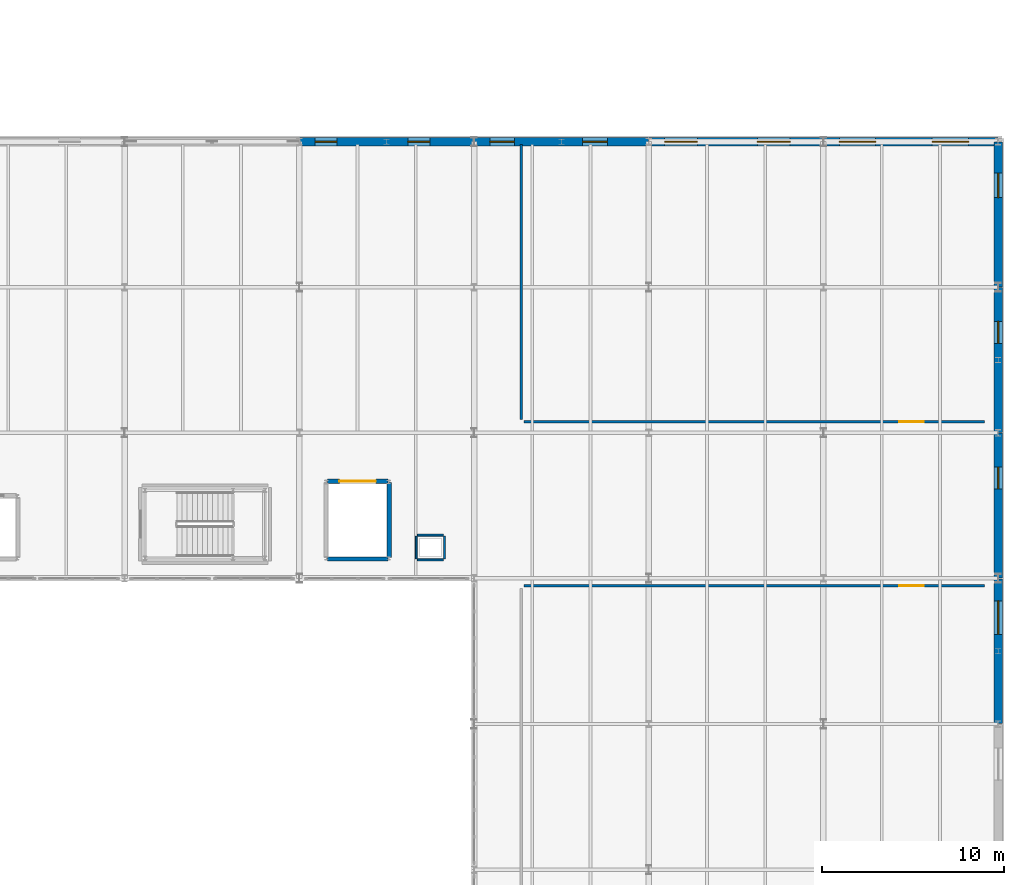
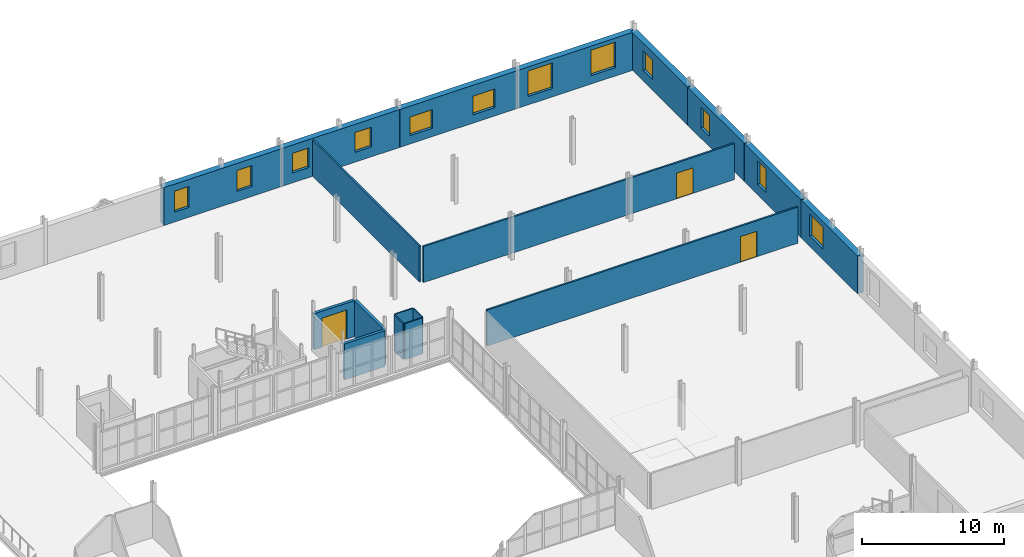
# One storey, part 65 of 78: 18 walls, 12 windows, 3 doors, 15 openings.
"""IFC4 building model written with IfcOpenShell, lengths in metres."""

from ifc_helpers import new_model, si_unit, direction, frame, frame_2d, origin, place, context, subcontext, project, spatial, rectangle, extrude, material, layer, layer_set, type_object, element, fill, save


model = new_model("IFC4")

# Units and contexts
model_context = context("Model", 3, precision=1e-05, world=origin(), true_north=direction((0.0, 1.0)))
body_context = subcontext(model_context, "Body", "Model", "MODEL_VIEW")
ifc_project = project(units=[si_unit("LENGTHUNIT", "METRE"), si_unit("AREAUNIT", "SQUARE_METRE"), si_unit("VOLUMEUNIT", "CUBIC_METRE"), si_unit("PLANEANGLEUNIT", "RADIAN"), si_unit("MASSUNIT", "GRAM", prefix="KILO")], contexts=[model_context])

# Site, building, storey
site_placement = place(None, origin())
site = spatial("IfcSite", under=ifc_project, at=site_placement, CompositionType="ELEMENT")
building_placement = place(site_placement, origin())
building = spatial("IfcBuilding", under=site, at=building_placement, Name="Alderhovde Museum", CompositionType="ELEMENT")
storey_placement = place(building_placement, frame((0.0, 0.0, 4.5)))
storey = spatial("IfcBuildingStorey", under=building, at=storey_placement, Name="L01", CompositionType="ELEMENT", Elevation=4.5)

# Wall, openings, windows
ifc_material_1 = material(Name="Nordic Granite Ashlar on Concrete C35/45", Category="masonry")
ifc_layer_1 = layer(ifc_material_1, 0.47998046875)
ifc_layer_set_1 = layer_set([ifc_layer_1], Name="Nordic Granite Ashlar on Concrete C35/45")
wall_type_1 = type_object("IfcWallType", Name="EW-GRAN-480", PredefinedType="SOLIDWALL", material=ifc_layer_set_1)
wall_1_placement = place(storey_placement, frame((134.419921875, 96.0, 0.0), z_axis=(0.0, 0.0, 1.0), x_axis=(1.0, 0.0, 0.0)))
wall_1 = element("IfcWall", 1, at=wall_1_placement, inside=storey, type_object=wall_type_1, Name="L01 Conservation North Beaux-Arts Wall 202", PredefinedType="SOLIDWALL", context=body_context, shape_type="SweptSolid", body=[
    extrude(rectangle(XDim=9.56005859375, YDim=0.47998046875, at=frame_2d((4.780029296875, 0.0))), origin(), (0.0, 0.0, 1.0), 3.260009765625),
])
opening_1_placement = place(wall_1_placement, frame((0.85009765625, 0.0, 0.85009765625)))
opening_1 = element("IfcOpeningElement", 2, at=opening_1_placement, cuts=wall_1, Name="Opening W14", PredefinedType="OPENING", context=body_context, shape_type="SweptSolid", body=[
    extrude(rectangle(XDim=1.199951171875, YDim=1.800048828125, at=frame_2d((0.60009765625, 0.89990234375))), frame((0.0, 0.25, 0.0), z_axis=(0.0, -1.0, 0.0), x_axis=(1.0, 0.0, 0.0)), (0.0, 0.0, 1.0), 0.5),
])
opening_2_placement = place(wall_1_placement, frame((5.949951171875, 0.0, 0.85009765625)))
opening_2 = element("IfcOpeningElement", 3, at=opening_2_placement, cuts=wall_1, Name="Opening W14", PredefinedType="OPENING", context=body_context, shape_type="SweptSolid", body=[
    extrude(rectangle(XDim=1.199951171875, YDim=1.800048828125, at=frame_2d((0.60009765625, 0.89990234375))), frame((0.0, 0.25, 0.0), z_axis=(0.0, -1.0, 0.0), x_axis=(1.0, 0.0, 0.0)), (0.0, 0.0, 1.0), 0.5),
])
ifc_material_2 = material(Name="Triple-Glazed Low-E Bronze-Anodised Aluminium", Category="aluminium")
window_type_1 = type_object("IfcWindowType", Name="WIN-ATT-1200x1800", PartitioningType="SINGLE_PANEL", PredefinedType="WINDOW", material=ifc_material_2)
window_1_placement = place(opening_1_placement, origin())
window_1 = element("IfcWindow", 4, at=window_1_placement, inside=storey, type_object=window_type_1, Name="L01 Facade Window 179", OverallHeight=1.800048828125, OverallWidth=1.199951171875, PartitioningType="SINGLE_PANEL", PredefinedType="WINDOW", context=body_context, shape_type="SweptSolid", body=[
    extrude(rectangle(XDim=1.199951171875, YDim=1.800048828125, at=frame_2d((0.60009765625, 0.89990234375))), frame((0.0, 0.030029296875, 0.0), z_axis=(0.0, -1.0, 0.0), x_axis=(1.0, 0.0, 0.0)), (0.0, 0.0, 1.0), 0.06005859375),
])
fill(opening_1, window_1)
window_2_placement = place(opening_2_placement, origin())
window_2 = element("IfcWindow", 5, at=window_2_placement, inside=storey, type_object=window_type_1, Name="L01 Facade Window 180", OverallHeight=1.800048828125, OverallWidth=1.199951171875, PartitioningType="SINGLE_PANEL", PredefinedType="WINDOW", context=body_context, shape_type="SweptSolid", body=[
    extrude(rectangle(XDim=1.199951171875, YDim=1.800048828125, at=frame_2d((0.60009765625, 0.89990234375))), frame((0.0, 0.030029296875, 0.0), z_axis=(0.0, -1.0, 0.0), x_axis=(1.0, 0.0, 0.0)), (0.0, 0.0, 1.0), 0.06005859375),
])
fill(opening_2, window_2)

wall_2_placement = place(storey_placement, frame((144.02001953125, 96.0, 0.0), z_axis=(0.0, 0.0, 1.0), x_axis=(1.0, 0.0, 0.0)))
wall_2 = element("IfcWall", 6, at=wall_2_placement, inside=storey, type_object=wall_type_1, Name="L01 Conservation North Beaux-Arts Wall 203", PredefinedType="SOLIDWALL", context=body_context, shape_type="SweptSolid", body=[
    extrude(rectangle(XDim=9.56005859375, YDim=0.47998046875, at=frame_2d((4.780029296875, 0.0))), origin(), (0.0, 0.0, 1.0), 3.260009765625),
])
opening_3_placement = place(wall_2_placement, frame((0.85009765625, 0.0, 0.85009765625)))
opening_3 = element("IfcOpeningElement", 7, at=opening_3_placement, cuts=wall_2, Name="Opening W28", PredefinedType="OPENING", context=body_context, shape_type="SweptSolid", body=[
    extrude(rectangle(XDim=1.35009765625, YDim=1.699951171875, at=frame_2d((0.675048828125, 0.85009765625))), frame((0.0, 0.25, 0.0), z_axis=(0.0, -1.0, 0.0), x_axis=(1.0, 0.0, 0.0)), (0.0, 0.0, 1.0), 0.5),
])
opening_4_placement = place(wall_2_placement, frame((5.949951171875, 0.0, 0.85009765625)))
opening_4 = element("IfcOpeningElement", 8, at=opening_4_placement, cuts=wall_2, Name="Opening W28", PredefinedType="OPENING", context=body_context, shape_type="SweptSolid", body=[
    extrude(rectangle(XDim=1.35009765625, YDim=1.699951171875, at=frame_2d((0.675048828125, 0.85009765625))), frame((0.0, 0.25, 0.0), z_axis=(0.0, -1.0, 0.0), x_axis=(1.0, 0.0, 0.0)), (0.0, 0.0, 1.0), 0.5),
])
ifc_material_3 = material(Name="Triple-Glazed Low-E Bronze-Anodised Aluminium", Category="aluminium")
window_type_2 = type_object("IfcWindowType", Name="WIN-LAB-1350x1700", PartitioningType="SINGLE_PANEL", PredefinedType="WINDOW", material=ifc_material_3)
window_3_placement = place(opening_3_placement, origin())
window_3 = element("IfcWindow", 9, at=window_3_placement, inside=storey, type_object=window_type_2, Name="L01 Facade Window 181", OverallHeight=1.699951171875, OverallWidth=1.35009765625, PartitioningType="SINGLE_PANEL", PredefinedType="WINDOW", context=body_context, shape_type="SweptSolid", body=[
    extrude(rectangle(XDim=1.35009765625, YDim=1.699951171875, at=frame_2d((0.675048828125, 0.85009765625))), frame((0.0, 0.030029296875, 0.0), z_axis=(0.0, -1.0, 0.0), x_axis=(1.0, 0.0, 0.0)), (0.0, 0.0, 1.0), 0.06005859375),
])
fill(opening_3, window_3)
window_4_placement = place(opening_4_placement, origin())
window_4 = element("IfcWindow", 10, at=window_4_placement, inside=storey, type_object=window_type_2, Name="L01 Facade Window 182", OverallHeight=1.699951171875, OverallWidth=1.35009765625, PartitioningType="SINGLE_PANEL", PredefinedType="WINDOW", context=body_context, shape_type="SweptSolid", body=[
    extrude(rectangle(XDim=1.35009765625, YDim=1.699951171875, at=frame_2d((0.675048828125, 0.85009765625))), frame((0.0, 0.030029296875, 0.0), z_axis=(0.0, -1.0, 0.0), x_axis=(1.0, 0.0, 0.0)), (0.0, 0.0, 1.0), 0.06005859375),
])
fill(opening_4, window_4)

wall_3_placement = place(storey_placement, frame((153.6201171875, 96.0, 0.0), z_axis=(0.0, 0.0, 1.0), x_axis=(1.0, 0.0, 0.0)))
wall_3 = element("IfcWall", 11, at=wall_3_placement, inside=storey, type_object=wall_type_1, Name="L01 Conservation North Beaux-Arts Wall 204", PredefinedType="SOLIDWALL", context=body_context, shape_type="SweptSolid", body=[
    extrude(rectangle(XDim=9.559814453125, YDim=0.47998046875, at=frame_2d((4.77978515625, 0.0))), origin(), (0.0, 0.0, 1.0), 3.260009765625),
])
opening_5_placement = place(wall_3_placement, frame((0.85009765625, 0.0, 0.719970703125)))
opening_5 = element("IfcOpeningElement", 12, at=opening_5_placement, cuts=wall_3, Name="Opening W13", PredefinedType="OPENING", context=body_context, shape_type="SweptSolid", body=[
    extrude(rectangle(XDim=1.800048828125, YDim=1.60009765625, at=frame_2d((0.89990234375, 0.800048828125))), frame((0.0, 0.25, 0.0), z_axis=(0.0, -1.0, 0.0), x_axis=(1.0, 0.0, 0.0)), (0.0, 0.0, 1.0), 0.5),
])
opening_6_placement = place(wall_3_placement, frame((5.949951171875, 0.0, 0.719970703125)))
opening_6 = element("IfcOpeningElement", 13, at=opening_6_placement, cuts=wall_3, Name="Opening W13", PredefinedType="OPENING", context=body_context, shape_type="SweptSolid", body=[
    extrude(rectangle(XDim=1.800048828125, YDim=1.60009765625, at=frame_2d((0.89990234375, 0.800048828125))), frame((0.0, 0.25, 0.0), z_axis=(0.0, -1.0, 0.0), x_axis=(1.0, 0.0, 0.0)), (0.0, 0.0, 1.0), 0.5),
])
ifc_material_4 = material(Name="Triple-Glazed Low-E Bronze-Anodised Aluminium", Category="aluminium")
window_type_3 = type_object("IfcWindowType", Name="WIN-ATT-1800x1600", PartitioningType="DOUBLE_PANEL_VERTICAL", PredefinedType="WINDOW", material=ifc_material_4)
window_5_placement = place(opening_5_placement, origin())
window_5 = element("IfcWindow", 14, at=window_5_placement, inside=storey, type_object=window_type_3, Name="L01 Facade Window 183", OverallHeight=1.60009765625, OverallWidth=1.800048828125, PartitioningType="SINGLE_PANEL", PredefinedType="WINDOW", context=body_context, shape_type="SweptSolid", body=[
    extrude(rectangle(XDim=1.800048828125, YDim=1.60009765625, at=frame_2d((0.89990234375, 0.800048828125))), frame((0.0, 0.030029296875, 0.0), z_axis=(0.0, -1.0, 0.0), x_axis=(1.0, 0.0, 0.0)), (0.0, 0.0, 1.0), 0.06005859375),
])
fill(opening_5, window_5)
window_6_placement = place(opening_6_placement, origin())
window_6 = element("IfcWindow", 15, at=window_6_placement, inside=storey, type_object=window_type_3, Name="L01 Facade Window 184", OverallHeight=1.60009765625, OverallWidth=1.800048828125, PartitioningType="SINGLE_PANEL", PredefinedType="WINDOW", context=body_context, shape_type="SweptSolid", body=[
    extrude(rectangle(XDim=1.800048828125, YDim=1.60009765625, at=frame_2d((0.89990234375, 0.800048828125))), frame((0.0, 0.030029296875, 0.0), z_axis=(0.0, -1.0, 0.0), x_axis=(1.0, 0.0, 0.0)), (0.0, 0.0, 1.0), 0.06005859375),
])
fill(opening_6, window_6)

wall_4_placement = place(storey_placement, frame((163.219970703125, 96.0, 0.0), z_axis=(0.0, 0.0, 1.0), x_axis=(1.0, 0.0, 0.0)))
wall_4 = element("IfcWall", 16, at=wall_4_placement, inside=storey, type_object=wall_type_1, Name="L01 Conservation North Beaux-Arts Wall 205", PredefinedType="SOLIDWALL", context=body_context, shape_type="SweptSolid", body=[
    extrude(rectangle(XDim=9.56005859375, YDim=0.47998046875, at=frame_2d((4.780029296875, 0.0))), origin(), (0.0, 0.0, 1.0), 3.260009765625),
])
opening_7_placement = place(wall_4_placement, frame((0.85009765625, 0.0, 0.719970703125)))
opening_7 = element("IfcOpeningElement", 17, at=opening_7_placement, cuts=wall_4, Name="Opening W16", PredefinedType="OPENING", context=body_context, shape_type="SweptSolid", body=[
    extrude(rectangle(XDim=2.0, YDim=2.199951171875, at=frame_2d((1.0, 1.10009765625))), frame((0.0, 0.25, 0.0), z_axis=(0.0, -1.0, 0.0), x_axis=(1.0, 0.0, 0.0)), (0.0, 0.0, 1.0), 0.5),
])
opening_8_placement = place(wall_4_placement, frame((5.949951171875, 0.0, 0.719970703125)))
opening_8 = element("IfcOpeningElement", 18, at=opening_8_placement, cuts=wall_4, Name="Opening W16", PredefinedType="OPENING", context=body_context, shape_type="SweptSolid", body=[
    extrude(rectangle(XDim=2.0, YDim=2.199951171875, at=frame_2d((1.0, 1.10009765625))), frame((0.0, 0.25, 0.0), z_axis=(0.0, -1.0, 0.0), x_axis=(1.0, 0.0, 0.0)), (0.0, 0.0, 1.0), 0.5),
])
ifc_material_5 = material(Name="Triple-Glazed Low-E Bronze-Anodised Aluminium", Category="aluminium")
window_type_4 = type_object("IfcWindowType", Name="WIN-LAB-2000x2200", PartitioningType="DOUBLE_PANEL_VERTICAL", PredefinedType="WINDOW", material=ifc_material_5)
window_7_placement = place(opening_7_placement, origin())
window_7 = element("IfcWindow", 19, at=window_7_placement, inside=storey, type_object=window_type_4, Name="L01 Facade Window 185", OverallHeight=2.199951171875, OverallWidth=2.0, PartitioningType="SINGLE_PANEL", PredefinedType="WINDOW", context=body_context, shape_type="SweptSolid", body=[
    extrude(rectangle(XDim=2.0, YDim=2.199951171875, at=frame_2d((1.0, 1.10009765625))), frame((0.0, 0.030029296875, 0.0), z_axis=(0.0, -1.0, 0.0), x_axis=(1.0, 0.0, 0.0)), (0.0, 0.0, 1.0), 0.06005859375),
])
fill(opening_7, window_7)
window_8_placement = place(opening_8_placement, origin())
window_8 = element("IfcWindow", 20, at=window_8_placement, inside=storey, type_object=window_type_4, Name="L01 Facade Window 186", OverallHeight=2.199951171875, OverallWidth=2.0, PartitioningType="SINGLE_PANEL", PredefinedType="WINDOW", context=body_context, shape_type="SweptSolid", body=[
    extrude(rectangle(XDim=2.0, YDim=2.199951171875, at=frame_2d((1.0, 1.10009765625))), frame((0.0, 0.030029296875, 0.0), z_axis=(0.0, -1.0, 0.0), x_axis=(1.0, 0.0, 0.0)), (0.0, 0.0, 1.0), 0.06005859375),
])
fill(opening_8, window_8)

# Wall, opening, window
wall_5_placement = place(storey_placement, frame((172.800048828125, 64.02001953125, 0.0), z_axis=(0.0, 0.0, 1.0), x_axis=(0.0, 1.0, 0.0)))
wall_5 = element("IfcWall", 21, at=wall_5_placement, inside=storey, type_object=wall_type_1, Name="L01 Conservation East Hillside Wall 210", PredefinedType="SOLIDWALL", context=body_context, shape_type="SweptSolid", body=[
    extrude(rectangle(XDim=7.9599609375, YDim=0.47998046875, at=frame_2d((3.97998046875, 0.0))), origin(), (0.0, 0.0, 1.0), 3.260009765625),
])
opening_9_placement = place(wall_5_placement, frame((4.89990234375, 0.0, 0.89990234375)))
opening_9 = element("IfcOpeningElement", 22, at=opening_9_placement, cuts=wall_5, Name="Opening W27", PredefinedType="OPENING", context=body_context, shape_type="SweptSolid", body=[
    extrude(rectangle(XDim=1.85009765625, YDim=1.89990234375, at=frame_2d((0.925048828125, 0.949951171875))), frame((0.0, 0.25, 0.0), z_axis=(0.0, -1.0, 0.0), x_axis=(1.0, 0.0, 0.0)), (0.0, 0.0, 1.0), 0.5),
])
ifc_material_6 = material(Name="Triple-Glazed Low-E Bronze-Anodised Aluminium", Category="aluminium")
window_type_5 = type_object("IfcWindowType", Name="WIN-LAB-1850x1900", PartitioningType="DOUBLE_PANEL_VERTICAL", PredefinedType="WINDOW", material=ifc_material_6)
window_9_placement = place(opening_9_placement, origin())
window_9 = element("IfcWindow", 23, at=window_9_placement, inside=storey, type_object=window_type_5, Name="L01 Facade Window 191", OverallHeight=1.89990234375, OverallWidth=1.85009765625, PartitioningType="SINGLE_PANEL", PredefinedType="WINDOW", context=body_context, shape_type="SweptSolid", body=[
    extrude(rectangle(XDim=1.85009765625, YDim=1.89990234375, at=frame_2d((0.925048828125, 0.949951171875))), frame((0.0, 0.030029296875, 0.0), z_axis=(0.0, -1.0, 0.0), x_axis=(1.0, 0.0, 0.0)), (0.0, 0.0, 1.0), 0.06005859375),
])
fill(opening_9, window_9)

wall_6_placement = place(storey_placement, frame((172.800048828125, 72.02001953125, 0.0), z_axis=(0.0, 0.0, 1.0), x_axis=(0.0, 1.0, 0.0)))
wall_6 = element("IfcWall", 24, at=wall_6_placement, inside=storey, type_object=wall_type_1, Name="L01 Conservation East Hillside Wall 211", PredefinedType="SOLIDWALL", context=body_context, shape_type="SweptSolid", body=[
    extrude(rectangle(XDim=7.9599609375, YDim=0.47998046875, at=frame_2d((3.97998046875, 0.0))), origin(), (0.0, 0.0, 1.0), 3.260009765625),
])
opening_10_placement = place(wall_6_placement, frame((4.89990234375, 0.0, 0.89990234375)))
opening_10 = element("IfcOpeningElement", 25, at=opening_10_placement, cuts=wall_6, Name="Opening W18", PredefinedType="OPENING", context=body_context, shape_type="SweptSolid", body=[
    extrude(rectangle(XDim=1.199951171875, YDim=2.0, at=frame_2d((0.60009765625, 1.0))), frame((0.0, 0.25, 0.0), z_axis=(0.0, -1.0, 0.0), x_axis=(1.0, 0.0, 0.0)), (0.0, 0.0, 1.0), 0.5),
])
ifc_material_7 = material(Name="Triple-Glazed Low-E Bronze-Anodised Aluminium", Category="aluminium")
window_type_6 = type_object("IfcWindowType", Name="WIN-LAB-1200x2000", PartitioningType="SINGLE_PANEL", PredefinedType="WINDOW", material=ifc_material_7)
window_10_placement = place(opening_10_placement, origin())
window_10 = element("IfcWindow", 26, at=window_10_placement, inside=storey, type_object=window_type_6, Name="L01 Facade Window 192", OverallHeight=2.0, OverallWidth=1.199951171875, PartitioningType="SINGLE_PANEL", PredefinedType="WINDOW", context=body_context, shape_type="SweptSolid", body=[
    extrude(rectangle(XDim=1.199951171875, YDim=2.0, at=frame_2d((0.60009765625, 1.0))), frame((0.0, 0.030029296875, 0.0), z_axis=(0.0, -1.0, 0.0), x_axis=(1.0, 0.0, 0.0)), (0.0, 0.0, 1.0), 0.06005859375),
])
fill(opening_10, window_10)

wall_7_placement = place(storey_placement, frame((172.800048828125, 80.02001953125, 0.0), z_axis=(0.0, 0.0, 1.0), x_axis=(0.0, 1.0, 0.0)))
wall_7 = element("IfcWall", 27, at=wall_7_placement, inside=storey, type_object=wall_type_1, Name="L01 Conservation East Hillside Wall 212", PredefinedType="SOLIDWALL", context=body_context, shape_type="SweptSolid", body=[
    extrude(rectangle(XDim=7.9599609375, YDim=0.47998046875, at=frame_2d((3.97998046875, 0.0))), origin(), (0.0, 0.0, 1.0), 3.260009765625),
])
opening_11_placement = place(wall_7_placement, frame((4.89990234375, 0.0, 0.89990234375)))
opening_11 = element("IfcOpeningElement", 28, at=opening_11_placement, cuts=wall_7, Name="Opening W14", PredefinedType="OPENING", context=body_context, shape_type="SweptSolid", body=[
    extrude(rectangle(XDim=1.199951171875, YDim=1.800048828125, at=frame_2d((0.60009765625, 0.89990234375))), frame((0.0, 0.25, 0.0), z_axis=(0.0, -1.0, 0.0), x_axis=(1.0, 0.0, 0.0)), (0.0, 0.0, 1.0), 0.5),
])
window_11_placement = place(opening_11_placement, origin())
window_11 = element("IfcWindow", 29, at=window_11_placement, inside=storey, type_object=window_type_1, Name="L01 Facade Window 193", OverallHeight=1.800048828125, OverallWidth=1.199951171875, PartitioningType="SINGLE_PANEL", PredefinedType="WINDOW", context=body_context, shape_type="SweptSolid", body=[
    extrude(rectangle(XDim=1.199951171875, YDim=1.800048828125, at=frame_2d((0.60009765625, 0.89990234375))), frame((0.0, 0.030029296875, 0.0), z_axis=(0.0, -1.0, 0.0), x_axis=(1.0, 0.0, 0.0)), (0.0, 0.0, 1.0), 0.06005859375),
])
fill(opening_11, window_11)

wall_8_placement = place(storey_placement, frame((172.800048828125, 88.02001953125, 0.0), z_axis=(0.0, 0.0, 1.0), x_axis=(0.0, 1.0, 0.0)))
wall_8 = element("IfcWall", 30, at=wall_8_placement, inside=storey, type_object=wall_type_1, Name="L01 Conservation East Hillside Wall 213", PredefinedType="SOLIDWALL", context=body_context, shape_type="SweptSolid", body=[
    extrude(rectangle(XDim=7.9599609375, YDim=0.47998046875, at=frame_2d((3.97998046875, 0.0))), origin(), (0.0, 0.0, 1.0), 3.260009765625),
])
opening_12_placement = place(wall_8_placement, frame((4.89990234375, 0.0, 0.89990234375)))
opening_12 = element("IfcOpeningElement", 31, at=opening_12_placement, cuts=wall_8, Name="Opening W28", PredefinedType="OPENING", context=body_context, shape_type="SweptSolid", body=[
    extrude(rectangle(XDim=1.35009765625, YDim=1.699951171875, at=frame_2d((0.675048828125, 0.85009765625))), frame((0.0, 0.25, 0.0), z_axis=(0.0, -1.0, 0.0), x_axis=(1.0, 0.0, 0.0)), (0.0, 0.0, 1.0), 0.5),
])
window_12_placement = place(opening_12_placement, origin())
window_12 = element("IfcWindow", 32, at=window_12_placement, inside=storey, type_object=window_type_2, Name="L01 Facade Window 194", OverallHeight=1.699951171875, OverallWidth=1.35009765625, PartitioningType="SINGLE_PANEL", PredefinedType="WINDOW", context=body_context, shape_type="SweptSolid", body=[
    extrude(rectangle(XDim=1.35009765625, YDim=1.699951171875, at=frame_2d((0.675048828125, 0.85009765625))), frame((0.0, 0.030029296875, 0.0), z_axis=(0.0, -1.0, 0.0), x_axis=(1.0, 0.0, 0.0)), (0.0, 0.0, 1.0), 0.06005859375),
])
fill(opening_12, window_12)

# Wall, opening, door
ifc_material_8 = material(Name="Hygienic Conservation Laboratory Partition")
ifc_layer_2 = layer(ifc_material_8, 0.139892578125)
ifc_layer_set_2 = layer_set([ifc_layer_2], Name="Hygienic Conservation Laboratory Partition")
wall_type_2 = type_object("IfcWallType", Name="IW-LAB-140", PredefinedType="PARTITIONING", material=ifc_layer_set_2)
wall_9_placement = place(storey_placement, frame((146.739990234375, 71.60009765625, 0.0), z_axis=(0.0, 0.0, 1.0), x_axis=(1.0, 0.0, 0.0)))
wall_9 = element("IfcWall", 33, at=wall_9_placement, inside=storey, type_object=wall_type_2, Name="L01 Wet Conservation Laboratory Partition Wall N", PredefinedType="PARTITIONING", context=body_context, shape_type="SweptSolid", body=[
    extrude(rectangle(XDim=25.320068359375, YDim=0.139892578125, at=frame_2d((12.66015625, 0.0))), origin(), (0.0, 0.0, 1.0), 3.10009765625),
])
opening_13_placement = place(wall_9_placement, frame((20.6201171875, 0.0, 0.0)))
opening_13 = element("IfcOpeningElement", 34, at=opening_13_placement, cuts=wall_9, Name="Opening FD-4", PredefinedType="OPENING", context=body_context, shape_type="SweptSolid", body=[
    extrude(rectangle(XDim=1.35009765625, YDim=2.199951171875, at=frame_2d((0.675048828125, 1.10009765625))), frame((0.0, 0.080078125, 0.0), z_axis=(0.0, -1.0, 0.0), x_axis=(1.0, 0.0, 0.0)), (0.0, 0.0, 1.0), 0.159912109375),
])
ifc_material_9 = material(Name="Fire-Rated Conservation Lab Door (Steel/Oak)", Category="steel")
door_type_1 = type_object("IfcDoorType", Name="FD-LAB-1350x2200", OperationType="NOTDEFINED", PredefinedType="DOOR", material=ifc_material_9)
door_1_placement = place(opening_13_placement, origin())
door_1 = element("IfcDoor", 35, at=door_1_placement, inside=storey, type_object=door_type_1, Name="L01 Wet Conservation Laboratory Door", OperationType="SINGLE_SWING_RIGHT", OverallHeight=2.199951171875, OverallWidth=1.35009765625, PredefinedType="DOOR", context=body_context, shape_type="SweptSolid", body=[
    extrude(rectangle(XDim=1.35009765625, YDim=2.199951171875, at=frame_2d((0.675048828125, 1.10009765625))), frame((0.0, 0.02490234375, 0.0), z_axis=(0.0, -1.0, 0.0), x_axis=(1.0, 0.0, 0.0)), (0.0, 0.0, 1.0), 0.050048828125),
])
fill(opening_13, door_1)

wall_10_placement = place(storey_placement, frame((146.739990234375, 80.60009765625, 0.0), z_axis=(0.0, 0.0, 1.0), x_axis=(1.0, 0.0, 0.0)))
wall_10 = element("IfcWall", 36, at=wall_10_placement, inside=storey, type_object=wall_type_2, Name="L01 Dry Conservation Laboratory Partition Wall S", PredefinedType="PARTITIONING", context=body_context, shape_type="SweptSolid", body=[
    extrude(rectangle(XDim=25.320068359375, YDim=0.139892578125, at=frame_2d((12.66015625, 0.0))), origin(), (0.0, 0.0, 1.0), 3.10009765625),
])
opening_14_placement = place(wall_10_placement, frame((20.6201171875, 0.0, 0.0)))
opening_14 = element("IfcOpeningElement", 37, at=opening_14_placement, cuts=wall_10, Name="Opening FD-4", PredefinedType="OPENING", context=body_context, shape_type="SweptSolid", body=[
    extrude(rectangle(XDim=1.35009765625, YDim=2.199951171875, at=frame_2d((0.675048828125, 1.10009765625))), frame((0.0, 0.080078125, 0.0), z_axis=(0.0, -1.0, 0.0), x_axis=(1.0, 0.0, 0.0)), (0.0, 0.0, 1.0), 0.159912109375),
])
door_2_placement = place(opening_14_placement, origin())
door_2 = element("IfcDoor", 38, at=door_2_placement, inside=storey, type_object=door_type_1, Name="L01 Dry Conservation Laboratory Door", OperationType="SINGLE_SWING_LEFT", OverallHeight=2.199951171875, OverallWidth=1.35009765625, PredefinedType="DOOR", context=body_context, shape_type="SweptSolid", body=[
    extrude(rectangle(XDim=1.35009765625, YDim=2.199951171875, at=frame_2d((0.675048828125, 1.10009765625))), frame((0.0, 0.02490234375, 0.0), z_axis=(0.0, -1.0, 0.0), x_axis=(1.0, 0.0, 0.0)), (0.0, 0.0, 1.0), 0.050048828125),
])
fill(opening_14, door_2)

# Walls
wall_11_placement = place(storey_placement, frame((146.60009765625, 80.739990234375, 0.0), z_axis=(0.0, 0.0, 1.0), x_axis=(0.0, 1.0, 0.0)))
element("IfcWall", 39, at=wall_11_placement, inside=storey, type_object=wall_type_2, Name="L01 Dry Conservation Laboratory Partition Wall W", PredefinedType="PARTITIONING", context=body_context, shape_type="SweptSolid", body=[
    extrude(rectangle(XDim=15.090087890625, YDim=0.139892578125, at=frame_2d((7.544921875, 0.0))), origin(), (0.0, 0.0, 1.0), 3.10009765625),
])
ifc_material_10 = material(Name="Acoustic Service Riser Lining Wall")
ifc_layer_3 = layer(ifc_material_10, 0.10009765625)
ifc_layer_set_3 = layer_set([ifc_layer_3], Name="Acoustic Service Riser Lining Wall")
wall_type_3 = type_object("IfcWallType", Name="IW-LIN-100", PredefinedType="PARTITIONING", material=ifc_layer_set_3)
for number, where, z_axis, x_axis, name in (
    (40, (140.8798828125, 74.3798828125, 0.0), (0.0, 0.0, 1.0), (1.0, 0.0, 0.0), "L01 Service Riser RSR-V5 Shaft Wall N"),
    (41, (140.8798828125, 73.02001953125, 0.0), (0.0, 0.0, 1.0), (1.0, 0.0, 0.0), "L01 Service Riser RSR-V5 Shaft Wall S"),
):
    element("IfcWall", number, at=place(storey_placement, frame(where, z_axis=z_axis, x_axis=x_axis)), inside=storey, type_object=wall_type_3, Name=name, PredefinedType="PARTITIONING", context=body_context, shape_type="SweptSolid", body=[
        extrude(rectangle(XDim=1.440185546875, YDim=0.10009765625, at=frame_2d((0.72021484375, 0.0))), origin(), (0.0, 0.0, 1.0), 3.10009765625),
    ])
for number, where, z_axis, x_axis, name in (
    (42, (140.820068359375, 73.080078125, 0.0), (0.0, 0.0, 1.0), (0.0, 1.0, 0.0), "L01 Service Riser RSR-V5 Shaft Wall W"),
    (43, (142.3798828125, 73.080078125, 0.0), (0.0, 0.0, 1.0), (0.0, 1.0, 0.0), "L01 Service Riser RSR-V5 Shaft Wall E"),
):
    element("IfcWall", number, at=place(storey_placement, frame(where, z_axis=z_axis, x_axis=x_axis)), inside=storey, type_object=wall_type_3, Name=name, PredefinedType="PARTITIONING", context=body_context, shape_type="SweptSolid", body=[
        extrude(rectangle(XDim=1.239990234375, YDim=0.10009765625, at=frame_2d((0.6201171875, 0.0))), origin(), (0.0, 0.0, 1.0), 3.10009765625),
    ])
ifc_material_11 = material(Name="Concrete C40/50 and Fireboard Shaft Wall", Category="concrete")
ifc_layer_4 = layer(ifc_material_11, 0.22998046875)
ifc_layer_set_4 = layer_set([ifc_layer_4], Name="Concrete C40/50 and Fireboard Shaft Wall")
wall_type_4 = type_object("IfcWallType", Name="IW-SHAFT-230", PredefinedType="SOLIDWALL", material=ifc_layer_set_4)
wall_12_placement = place(storey_placement, frame((135.93994140625, 73.06005859375, 0.0), z_axis=(0.0, 0.0, 1.0), x_axis=(1.0, 0.0, 0.0)))
element("IfcWall", 44, at=wall_12_placement, inside=storey, type_object=wall_type_4, Name="L01 Goods Lift Shaft Wall South", PredefinedType="SOLIDWALL", context=body_context, shape_type="SweptSolid", body=[
    extrude(rectangle(XDim=3.320068359375, YDim=0.22998046875, at=frame_2d((1.66015625, 0.0))), origin(), (0.0, 0.0, 1.0), 3.10009765625),
])

# Wall, opening, door
wall_13_placement = place(storey_placement, frame((135.93994140625, 77.340087890625, 0.0), z_axis=(0.0, 0.0, 1.0), x_axis=(1.0, 0.0, 0.0)))
wall_13 = element("IfcWall", 45, at=wall_13_placement, inside=storey, type_object=wall_type_4, Name="L01 Goods Lift Shaft Wall North", PredefinedType="SOLIDWALL", context=body_context, shape_type="SweptSolid", body=[
    extrude(rectangle(XDim=3.320068359375, YDim=0.22998046875, at=frame_2d((1.66015625, 0.0))), origin(), (0.0, 0.0, 1.0), 3.10009765625),
])
opening_15_placement = place(wall_13_placement, frame((0.659912109375, 0.0, 0.0)))
opening_15 = element("IfcOpeningElement", 46, at=opening_15_placement, cuts=wall_13, Name="Opening LD-2", PredefinedType="OPENING", context=body_context, shape_type="SweptSolid", body=[
    extrude(rectangle(XDim=2.0, YDim=2.5, at=frame_2d((1.0, 1.25))), frame((0.0, 0.125, 0.0), z_axis=(0.0, -1.0, 0.0), x_axis=(1.0, 0.0, 0.0)), (0.0, 0.0, 1.0), 0.25),
])
ifc_material_12 = material(Name="Goods Lift Sliding Landing Door (Steel/Oak)", Category="steel")
door_type_2 = type_object("IfcDoorType", Name="LD-GOODS-2000x2500", OperationType="SLIDING_TO_RIGHT", PredefinedType="DOOR", material=ifc_material_12)
door_3_placement = place(opening_15_placement, origin())
door_3 = element("IfcDoor", 47, at=door_3_placement, inside=storey, type_object=door_type_2, Name="L01 Goods Lift Landing Door", OperationType="SLIDING_TO_RIGHT", OverallHeight=2.5, OverallWidth=2.0, PredefinedType="DOOR", context=body_context, shape_type="SweptSolid", body=[
    extrude(rectangle(XDim=2.0, YDim=2.5, at=frame_2d((1.0, 1.25))), frame((0.0, 0.02490234375, 0.0), z_axis=(0.0, -1.0, 0.0), x_axis=(1.0, 0.0, 0.0)), (0.0, 0.0, 1.0), 0.050048828125),
])
fill(opening_15, door_3)

# Wall
wall_14_placement = place(storey_placement, frame((139.340087890625, 73.139892578125, 0.0), z_axis=(0.0, 0.0, 1.0), x_axis=(0.0, 1.0, 0.0)))
element("IfcWall", 48, at=wall_14_placement, inside=storey, type_object=wall_type_4, Name="L01 Goods Lift Shaft Wall East", PredefinedType="SOLIDWALL", context=body_context, shape_type="SweptSolid", body=[
    extrude(rectangle(XDim=4.1201171875, YDim=0.22998046875, at=frame_2d((2.06005859375, 0.0))), origin(), (0.0, 0.0, 1.0), 3.10009765625),
])

save(model, "model.ifc")
